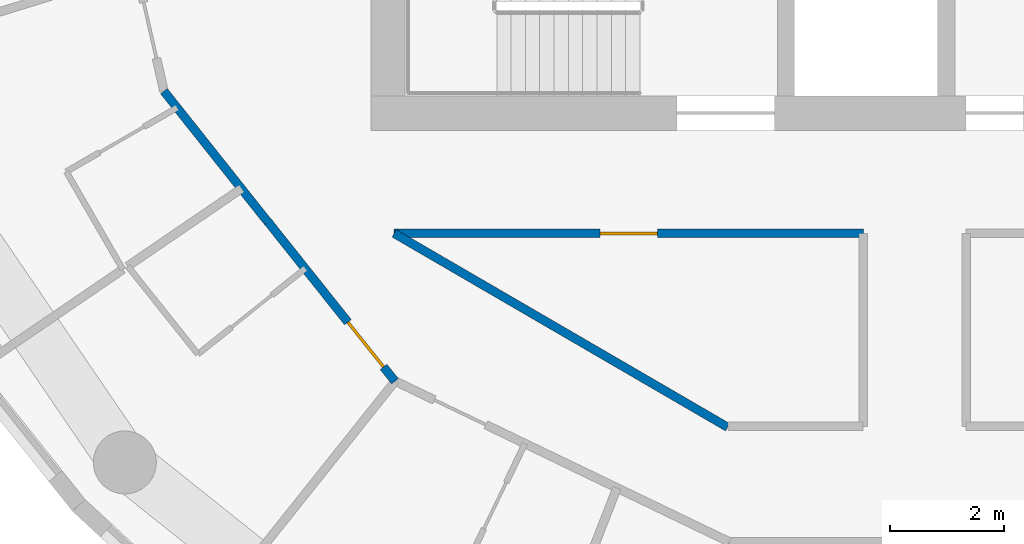
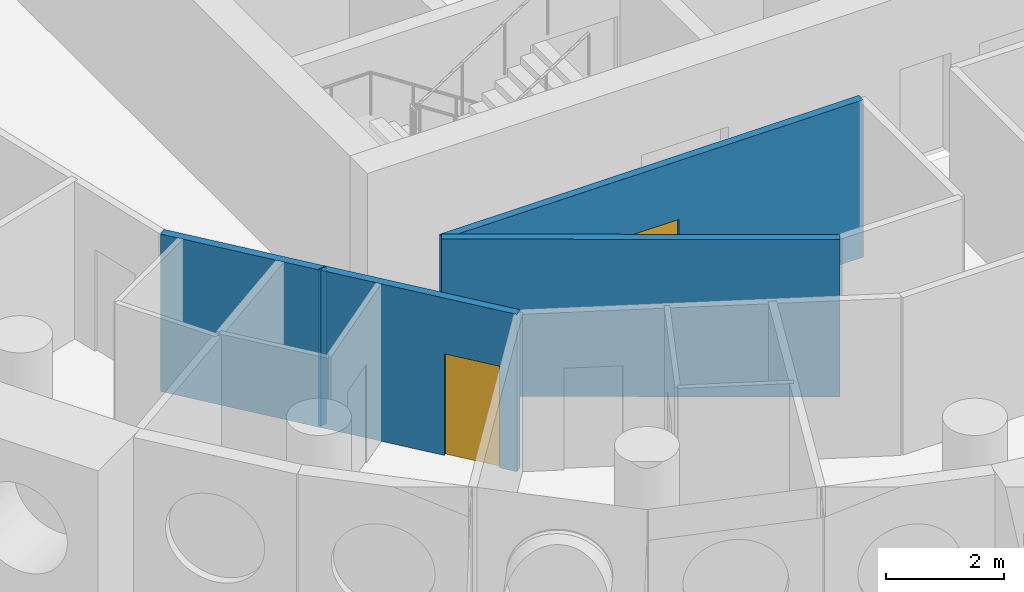
# One storey, part 3 of 13: 5 walls, 2 doors, 2 openings.
"""IFC4 building model written with IfcOpenShell, lengths in metres."""

import ifcopenshell
import ifcopenshell.guid

model = None  # the IFC model being written
_history = None  # IfcOwnerHistory: only IFC2X3 demands one
_inside = {}  # id of a spatial element -> (the spatial element, [elements in it])
_under = {}  # id of a project, library or spatial element -> (it, [spatial elements below it])
_declared = {}  # id of a project -> (the project, [libraries it declares])
_typed = {}  # id of a type object -> (the type object, [elements of that type])
_made_of = {}  # id of a material, layer set ... -> (it, [elements and type objects made of it])


def new_model(schema):
    """Start an empty IFC model of exactly this schema.

    Asked for "IFC4X3", IfcOpenShell would pick the latest addendum, in which some entities
    have other attributes; the version numbers below select the first issue.
    IFC2X3 requires an IfcOwnerHistory on every rooted entity: one is made here for all.
    """
    global model, _history
    if schema == "IFC4X3":
        model = ifcopenshell.file(schema_version=(4, 3, 0, 0))
    else:
        model = ifcopenshell.file(schema=schema)
    _inside.clear()
    _under.clear()
    _declared.clear()
    _typed.clear()
    _made_of.clear()
    _history = None
    if model.schema == "IFC2X3":
        org = make("IfcOrganization", Name="unknown")
        user = make(
            "IfcPersonAndOrganization",
            ThePerson=make("IfcPerson", FamilyName="unknown"),
            TheOrganization=org,
        )
        app = make(
            "IfcApplication",
            ApplicationDeveloper=org,
            Version="unknown",
            ApplicationFullName="unknown",
            ApplicationIdentifier="unknown",
        )
        _history = make(
            "IfcOwnerHistory",
            OwningUser=user,
            OwningApplication=app,
            ChangeAction="ADDED",
            CreationDate=0,
        )
    return model


def make(cls, **values):
    """One entity of the class cls with the attributes given. An attribute that is None is left unset."""
    return model.create_entity(
        cls, **{name: value for name, value in values.items() if value is not None}
    )


def rooted(cls, **values):
    """An entity with a GlobalId (a new one), such as an element, a storey or a relation."""
    return make(cls, GlobalId=ifcopenshell.guid.new(), OwnerHistory=_history, **values)


def si_unit(unit_type, name, prefix=None):
    """IfcSIUnit, for example si_unit("LENGTHUNIT", "METRE", prefix="MILLI")."""
    return make("IfcSIUnit", UnitType=unit_type, Prefix=prefix, Name=name)


def assignment(units):
    """IfcUnitAssignment: the units of a project."""
    return None if units is None else make("IfcUnitAssignment", Units=units)


def point(xyz):
    """IfcCartesianPoint."""
    return None if xyz is None else make("IfcCartesianPoint", Coordinates=xyz)


def direction(xyz):
    """IfcDirection."""
    return None if xyz is None else make("IfcDirection", DirectionRatios=xyz)


def frame(location, z_axis=None, x_axis=None):
    """IfcAxis2Placement3D, a coordinate frame: its origin and axes. An axis left out is left unset."""
    return make(
        "IfcAxis2Placement3D",
        Location=point(location),
        Axis=direction(z_axis),
        RefDirection=direction(x_axis),
    )


def frame_2d(location, x_axis=None):
    """IfcAxis2Placement2D, a coordinate frame in the plane: its origin and x axis."""
    return make(
        "IfcAxis2Placement2D", Location=point(location), RefDirection=direction(x_axis)
    )


def origin():
    """The frame at (0, 0, 0) with its axes left unset."""
    return frame((0.0, 0.0, 0.0))


def place(relative_to, where):
    """IfcLocalPlacement: puts the frame where relative to a parent placement (None: the world)."""
    return make(
        "IfcLocalPlacement", PlacementRelTo=relative_to, RelativePlacement=where
    )


def context(
    kind, dimensions, precision=None, world=None, true_north=None, identifier=None
):
    """IfcGeometricRepresentationContext, for example the 3D "Model" context."""
    return make(
        "IfcGeometricRepresentationContext",
        ContextIdentifier=identifier,
        ContextType=kind,
        CoordinateSpaceDimension=dimensions,
        Precision=precision,
        WorldCoordinateSystem=world,
        TrueNorth=true_north,
    )


def subcontext(parent, identifier, kind, view, scale=None):
    """IfcGeometricRepresentationSubContext, for example "Body" below "Model"."""
    return make(
        "IfcGeometricRepresentationSubContext",
        ContextIdentifier=identifier,
        ContextType=kind,
        ParentContext=parent,
        TargetScale=scale,
        TargetView=view,
    )


def project(units=None, contexts=None):
    """IfcProject with its units and contexts."""
    return rooted(
        "IfcProject",
        Name="project",
        RepresentationContexts=contexts,
        UnitsInContext=assignment(units),
    )


def spatial(cls, under=None, at=None, **own):
    """A site, building, storey or space (cls), placed at a placement, below another one or the project."""
    s = rooted(cls, ObjectPlacement=at, **own)
    if under is not None:
        _under.setdefault(under.id(), (under, []))[1].append(s)
    return s


def profile(cls, at=None, kind="AREA", **sizes):
    """A parametric profile (cls). Its sizes go by their IFC names, for example OverallWidth=200.0."""
    return make(cls, ProfileType=kind, Position=at, **sizes)


def rectangle(**sizes):
    """IfcRectangleProfileDef."""
    return profile("IfcRectangleProfileDef", **sizes)


def extrude(swept, where, along, depth):
    """IfcExtrudedAreaSolid: the profile swept, set in the frame where, extruded along a direction by depth."""
    return make(
        "IfcExtrudedAreaSolid",
        SweptArea=swept,
        Position=where,
        ExtrudedDirection=direction(along),
        Depth=depth,
    )


def shape(context_of_items, identifier, shape_type, items):
    """IfcShapeRepresentation: the items that make up one representation, for example the "Body"."""
    return make(
        "IfcShapeRepresentation",
        ContextOfItems=context_of_items,
        RepresentationIdentifier=identifier,
        RepresentationType=shape_type,
        Items=items,
    )


def material(Name=None, Category=None):
    """IfcMaterial."""
    return make("IfcMaterial", Name=Name, Category=Category)


def layer(
    of_material, thickness, ventilated=None, Name=None, Category=None, Priority=None
):
    """IfcMaterialLayer: one layer of a wall or slab, of a material (None: an air gap)."""
    return make(
        "IfcMaterialLayer",
        Material=of_material,
        LayerThickness=thickness,
        IsVentilated=ventilated,
        Name=Name,
        Category=Category,
        Priority=Priority,
    )


def layer_set(layers, Name=None):
    """IfcMaterialLayerSet."""
    return make("IfcMaterialLayerSet", MaterialLayers=layers, LayerSetName=Name)


def made_of(thing, what):
    """Note that an element or type object is made of a material, layer set ...; save() writes the relation."""
    if what is not None:
        _made_of.setdefault(what.id(), (what, []))[1].append(thing)
    return thing


def type_object(cls, material=None, **own):
    """A type object (cls), such as IfcWallType, which elements share."""
    return made_of(rooted(cls, **own), material)


def element(
    cls,
    number,
    at=None,
    inside=None,
    cuts=None,
    type_object=None,
    material=None,
    context=None,
    identifier="Body",
    shape_type=None,
    held_by="IfcProductDefinitionShape",
    body=None,
    shapes=None,
    **own,
):
    """One element of the class cls, such as IfcWall. Its Tag is "e" and its number.

    at: its placement. inside: the storey or other place that contains it. cuts: it is an
    opening in that element (IfcRelVoidsElement). A single representation is given by context,
    identifier, shape_type and body (its items); several are given by shapes. held_by: the class
    of the entity that holds the representations. save() writes the other relations.
    """
    e = rooted(cls, Tag="e%d" % number, ObjectPlacement=at, **own)
    if body is not None:
        shapes = [shape(context, identifier, shape_type, body)]
    if shapes is not None:
        e.Representation = make(held_by, Representations=shapes)
    if inside is not None:
        _inside.setdefault(inside.id(), (inside, []))[1].append(e)
    if cuts is not None:
        rooted(
            "IfcRelVoidsElement", RelatingBuildingElement=cuts, RelatedOpeningElement=e
        )
    if type_object is not None:
        _typed.setdefault(type_object.id(), (type_object, []))[1].append(e)
    return made_of(e, material)


def fill(opening, filler):
    """IfcRelFillsElement: the door or window that sits in an opening."""
    return rooted(
        "IfcRelFillsElement",
        RelatingOpeningElement=opening,
        RelatedBuildingElement=filler,
    )


def aggregate(whole, parts):
    """IfcRelAggregates: a whole, such as a stair, and the parts it consists of."""
    return rooted("IfcRelAggregates", RelatingObject=whole, RelatedObjects=parts)


def save(model, path):
    """Write the relations noted so far, then the file.

    IfcRelAggregates (storeys below a building ...), IfcRelContainedInSpatialStructure (elements
    in a storey), IfcRelDefinesByType, IfcRelAssociatesMaterial and IfcRelDeclares: one each for
    every whole, place, type object, material and project.
    """
    for whole, parts in _under.values():
        aggregate(whole, parts)
    for where, things in _inside.values():
        rooted(
            "IfcRelContainedInSpatialStructure",
            RelatedElements=things,
            RelatingStructure=where,
        )
    for kind, things in _typed.values():
        rooted("IfcRelDefinesByType", RelatedObjects=things, RelatingType=kind)
    for what, things in _made_of.values():
        rooted("IfcRelAssociatesMaterial", RelatedObjects=things, RelatingMaterial=what)
    for by, libraries in _declared.values():
        rooted("IfcRelDeclares", RelatingContext=by, RelatedDefinitions=libraries)
    model.write(path)


model = new_model("IFC4")

# Units and contexts
model_context = context("Model", 3, precision=1e-05, world=origin(), true_north=direction((0.0, 1.0)))
body_context = subcontext(model_context, "Body", "Model", "MODEL_VIEW")
ifc_project = project(units=[si_unit("LENGTHUNIT", "METRE"), si_unit("AREAUNIT", "SQUARE_METRE"), si_unit("VOLUMEUNIT", "CUBIC_METRE"), si_unit("PLANEANGLEUNIT", "RADIAN"), si_unit("MASSUNIT", "GRAM", prefix="KILO")], contexts=[model_context])

# Site, building, storey
site_placement = place(None, origin())
site = spatial("IfcSite", under=ifc_project, at=site_placement, CompositionType="ELEMENT")
building_placement = place(site_placement, origin())
building = spatial("IfcBuilding", under=site, at=building_placement, Name="Tracery Tower", CompositionType="ELEMENT")
storey_placement = place(building_placement, frame((0.0, 0.0, 252.60009765625)))
storey = spatial("IfcBuildingStorey", under=building, at=storey_placement, Name="L65", CompositionType="ELEMENT", Elevation=252.60009765625)

# Wall, opening, door
ifc_material_1 = material(Name="Plasterboard on steel studs", Category="steel")
ifc_layer = layer(ifc_material_1, 0.14990234375)
ifc_layer_set = layer_set([ifc_layer], Name="Partition 150 corridor wall")
wall_type = type_object("IfcWallType", Name="Partition 150 corridor wall", PredefinedType="PARTITIONING", material=ifc_layer_set)
wall_1_placement = place(storey_placement, frame((-9.092041015625, -8.800048828125, 0.0), z_axis=(0.0, 0.0, 1.0), x_axis=(1.0, 0.0, 0.0)))
wall_1 = element("IfcWall", 1, at=wall_1_placement, inside=storey, type_object=wall_type, Name="Corridor wall RC3-011", PredefinedType="PARTITIONING", context=body_context, shape_type="SweptSolid", body=[
    extrude(rectangle(XDim=8.196044921875, YDim=0.14990234375, at=frame_2d((4.09814453125, 0.0))), origin(), (0.0, 0.0, 1.0), 3.25),
])
opening_1_placement = place(wall_1_placement, frame((3.597900390625, 0.0, 0.0)))
opening_1 = element("IfcOpeningElement", 2, at=opening_1_placement, cuts=wall_1, Name="Opening RC3-03", PredefinedType="OPENING", context=body_context, shape_type="SweptSolid", body=[
    extrude(rectangle(XDim=1.0, YDim=2.0400390625, at=frame_2d((0.5, 1.02001953125))), frame((0.0, 0.074951171875, 0.0), z_axis=(0.0, -1.0, 0.0), x_axis=(1.0, 0.0, 0.0)), (0.0, 0.0, 1.0), 0.14990234375),
])
ifc_material_2 = material(Name="Timber door leaf", Category="wood")
door_type_1 = type_object("IfcDoorType", Name="Door communal room 1000", OperationType="NOTDEFINED", PredefinedType="DOOR", material=ifc_material_2)
door_1_placement = place(opening_1_placement, origin())
door_1 = element("IfcDoor", 3, at=door_1_placement, inside=storey, type_object=door_type_1, Name="Communal room door RC3-03", OperationType="SINGLE_SWING_RIGHT", OverallHeight=2.0400390625, OverallWidth=1.0, PredefinedType="DOOR", context=body_context, shape_type="SweptSolid", body=[
    extrude(rectangle(XDim=1.0, YDim=2.0400390625, at=frame_2d((0.5, 1.02001953125))), frame((0.0, 0.02490234375, 0.0), z_axis=(0.0, -1.0, 0.0), x_axis=(1.0, 0.0, 0.0)), (0.0, 0.0, 1.0), 0.050048828125),
])
fill(opening_1, door_1)

# Wall
wall_2_placement = place(storey_placement, frame((-9.092041015625, -8.800048828125, 0.0), z_axis=(0.0, 0.0, 1.0), x_axis=(0.864470922103, -0.502682827277, 0.0)))
element("IfcWall", 4, at=wall_2_placement, inside=storey, type_object=wall_type, Name="Corridor wall RC3-012", PredefinedType="PARTITIONING", context=body_context, shape_type="SweptSolid", body=[
    extrude(rectangle(XDim=6.7353515625, YDim=0.14990234375, at=frame_2d((3.36767578125, 0.0))), origin(), (0.0, 0.0, 1.0), 3.25),
])

# Wall, opening, door
wall_3_placement = place(storey_placement, frame((-11.300048828125, -8.59619140625, 0.0), z_axis=(0.0, 0.0, 1.0), x_axis=(0.623165080354, -0.782090328944, 0.0)))
wall_3 = element("IfcWall", 5, at=wall_3_placement, inside=storey, type_object=wall_type, Name="Corridor wall RC3-015", PredefinedType="PARTITIONING", context=body_context, shape_type="SweptSolid", body=[
    extrude(rectangle(XDim=3.56396484375, YDim=0.14990234375, at=frame_2d((1.781982421875, 0.0))), origin(), (0.0, 0.0, 1.0), 3.25),
])
opening_2_placement = place(wall_3_placement, frame((2.243896484375, 0.0, 0.0)))
opening_2 = element("IfcOpeningElement", 6, at=opening_2_placement, cuts=wall_3, Name="Opening RC3-21", PredefinedType="OPENING", context=body_context, shape_type="SweptSolid", body=[
    extrude(rectangle(XDim=1.0, YDim=2.10009765625, at=frame_2d((0.5, 1.050048828125))), frame((0.0, 0.074951171875, 0.0), z_axis=(0.0, -1.0, 0.0), x_axis=(1.0, 0.0, 0.0)), (0.0, 0.0, 1.0), 0.14990234375),
])
ifc_material_3 = material(Name="Timber door leaf", Category="wood")
door_type_2 = type_object("IfcDoorType", Name="Door unit entrance 1000", OperationType="NOTDEFINED", PredefinedType="DOOR", material=ifc_material_3)
door_2_placement = place(opening_2_placement, origin())
door_2 = element("IfcDoor", 7, at=door_2_placement, inside=storey, type_object=door_type_2, Name="Unit entrance door RC3-21", OperationType="SINGLE_SWING_LEFT", OverallHeight=2.10009765625, OverallWidth=1.0, PredefinedType="DOOR", context=body_context, shape_type="SweptSolid", body=[
    extrude(rectangle(XDim=1.0, YDim=2.10009765625, at=frame_2d((0.5, 1.050048828125))), frame((0.0, 0.02490234375, 0.0), z_axis=(0.0, -1.0, 0.0), x_axis=(1.0, 0.0, 0.0)), (0.0, 0.0, 1.0), 0.050048828125),
])
fill(opening_2, door_2)

# Walls
wall_4_placement = place(storey_placement, frame((-11.300048828125, -8.59619140625, 0.0), z_axis=(0.0, 0.0, 1.0), x_axis=(0.0, 1.0, 0.0)))
element("IfcWall", 8, at=wall_4_placement, inside=storey, type_object=wall_type, Name="Corridor wall RC3-017", PredefinedType="PARTITIONING", context=body_context, shape_type="SweptSolid", body=[
    extrude(rectangle(XDim=0.01025390625, YDim=0.14990234375, at=frame_2d((0.005126953125, 0.0))), origin(), (0.0, 0.0, 1.0), 3.25),
])
wall_5_placement = place(storey_placement, frame((-13.114990234375, -6.31591796875, 0.0), z_axis=(0.0, 0.0, 1.0), x_axis=(0.622042479172, -0.782983495423, 0.0)))
element("IfcWall", 9, at=wall_5_placement, inside=storey, type_object=wall_type, Name="Corridor wall RC3-037", PredefinedType="PARTITIONING", context=body_context, shape_type="SweptSolid", body=[
    extrude(rectangle(XDim=2.9111328125, YDim=0.14990234375, at=frame_2d((1.45556640625, 0.0))), origin(), (0.0, 0.0, 1.0), 3.25),
])

save(model, "model.ifc")
